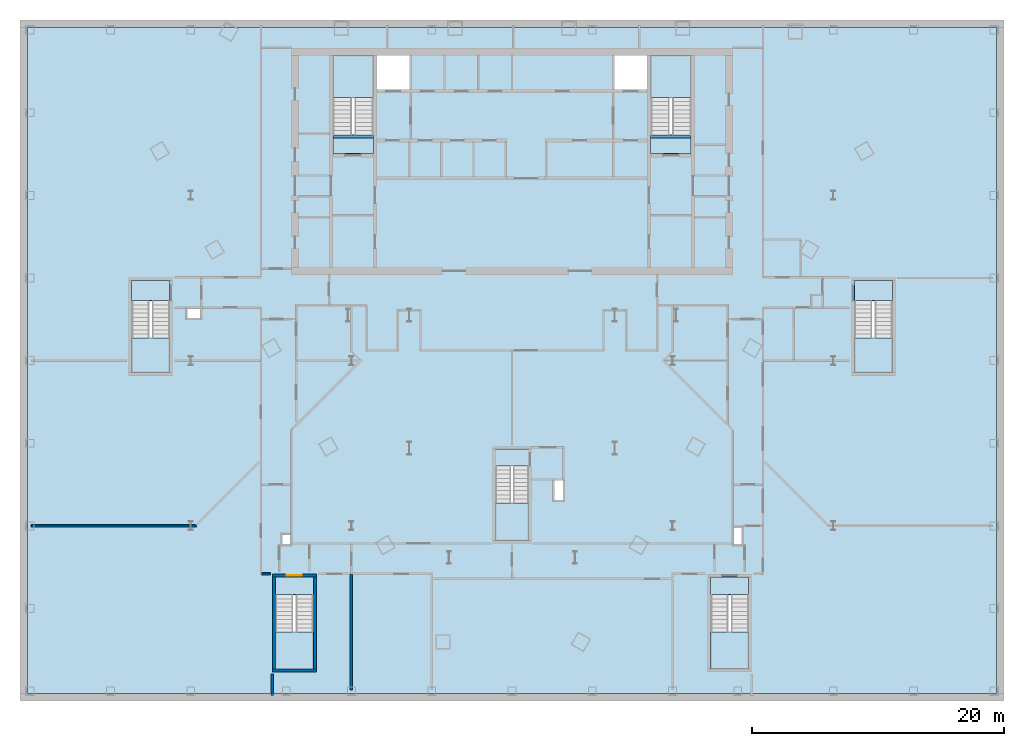
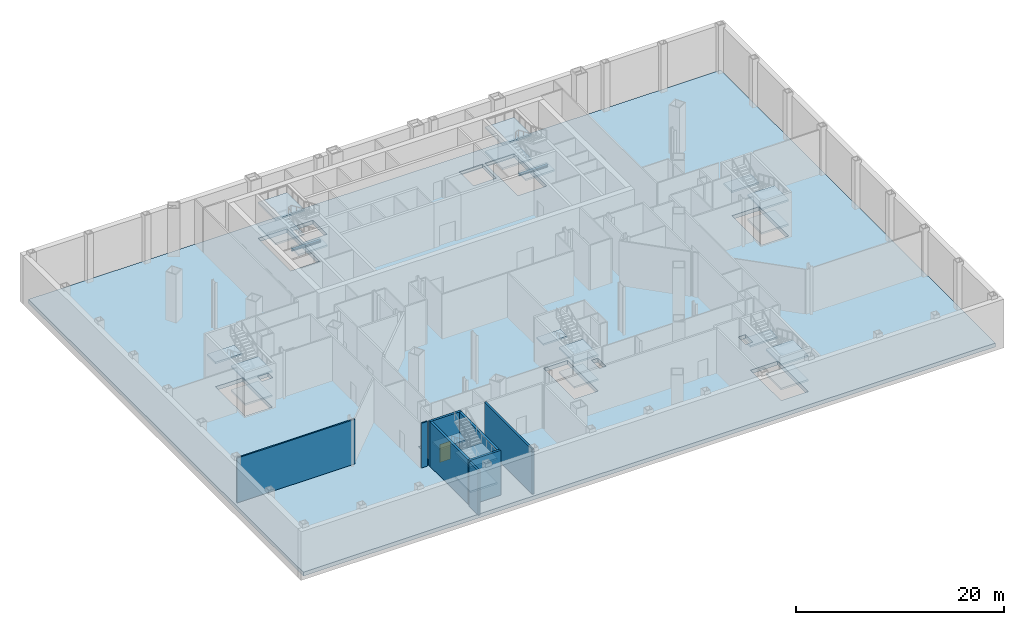
# One storey, part 4 of 17: 22 slabs, 8 walls, 2 beams, 1 door, 1 opening, 7 elements without a shape of their own.
"""IFC4 building model written with IfcOpenShell, lengths in metres."""

from ifc_helpers import new_model, si_unit, direction, frame, frame_2d, origin, origin_2d, place, context, subcontext, project, spatial, polyline, rectangle, i_section, outline, extrude, material, layer, layer_set, material_profile, profile_set, type_object, element, fill, aggregate, save


model = new_model("IFC4")

# Units and contexts
model_context = context("Model", 3, precision=1e-05, world=origin(), true_north=direction((0.0, 1.0)))
body_context = subcontext(model_context, "Body", "Model", "MODEL_VIEW")
ifc_project = project(units=[si_unit("LENGTHUNIT", "METRE"), si_unit("AREAUNIT", "SQUARE_METRE"), si_unit("VOLUMEUNIT", "CUBIC_METRE"), si_unit("PLANEANGLEUNIT", "RADIAN"), si_unit("MASSUNIT", "GRAM", prefix="KILO")], contexts=[model_context])

# Site, building, storey
site_placement = place(None, origin())
site = spatial("IfcSite", under=ifc_project, at=site_placement, CompositionType="ELEMENT")
building_placement = place(site_placement, origin())
building = spatial("IfcBuilding", under=site, at=building_placement, Name="Njiva Tower", CompositionType="ELEMENT")
storey_placement = place(building_placement, frame((0.0, 0.0, -11.4)))
storey = spatial("IfcBuildingStorey", under=building, at=storey_placement, Name="B2", CompositionType="ELEMENT", Elevation=-11.4)

# Beams
ifc_material_1 = material(Name="Steel S355 J2", Category="steel")
ifc_material_profile = material_profile(ifc_material_1, i_section(OverallWidth=0.24, OverallDepth=0.23, WebThickness=0.0075, FlangeThickness=0.012, at=origin_2d()), Name="HEA240")
ifc_profile_set = profile_set([ifc_material_profile], Name="Steel S355 J2")
beam_type = type_object("IfcBeamType", Name="FL8 Landing beam HEA 240", PredefinedType="BEAM", material=ifc_profile_set)
for number, where, z_axis, x_axis, name in (
    (1, (-14.206, 10.98, 2.535), (1.0, 0.0, 0.0), (0.0, 1.0, 0.0), "Landing beam"),
    (2, (10.994, 10.98, 2.535), (1.0, 0.0, 0.0), (0.0, 1.0, 0.0), "Landing beam"),
):
    element("IfcBeam", number, at=place(storey_placement, frame(where, z_axis=z_axis, x_axis=x_axis)), inside=storey, type_object=beam_type, Name=name, PredefinedType="BEAM", context=body_context, shape_type="SweptSolid", body=[
        extrude(i_section(OverallWidth=0.24, OverallDepth=0.23, WebThickness=0.0075, FlangeThickness=0.012, at=origin_2d()), origin(), (0.0, 0.0, 1.0), 3.212),
    ])

# Stair, slabs
ifc_material_2 = material(Name="Concrete C40/50", Category="concrete")
stair_type_1 = type_object("IfcStairType", Name="ST4 Exit stair 1500", PredefinedType="HALF_TURN_STAIR", material=ifc_material_2)
stair_1_placement = place(storey_placement, origin())
stair_1 = element("IfcStair", 3, at=stair_1_placement, inside=storey, type_object=stair_type_1, Name="Stair A basement", PredefinedType="DOUBLE_RETURN_STAIR")
ifc_layer_1 = layer(ifc_material_2, 0.2)
ifc_layer_set_1 = layer_set([ifc_layer_1], Name="Concrete C40/50")
slab_type_1 = type_object("IfcSlabType", Name="FL9 Stair landing 200", PredefinedType="LANDING", material=ifc_layer_set_1)
slab_1_placement = place(storey_placement, frame((0.0, 0.0, 1.225)))
slab_1 = element("IfcSlab", 4, at=slab_1_placement, type_object=slab_type_1, Name="ST-AB landing 1", PredefinedType="LANDING", context=body_context, shape_type="SweptSolid", body=[
    extrude(outline(polyline([(-14.206, 14.07), (-10.994, 14.07), (-10.994, 17.4), (-14.206, 17.4), (-14.206, 14.07)])), origin(), (0.0, 0.0, 1.0), 0.2),
])
slab_2_placement = place(storey_placement, frame((0.0, 0.0, 2.65)))
slab_2 = element("IfcSlab", 5, at=slab_2_placement, type_object=slab_type_1, Name="ST-AB landing 2", PredefinedType="LANDING", context=body_context, shape_type="SweptSolid", body=[
    extrude(outline(polyline([(-14.206, 9.6), (-10.994, 9.6), (-10.994, 11.1), (-14.206, 11.1), (-14.206, 9.6)])), origin(), (0.0, 0.0, 1.0), 0.2),
])
slab_3_placement = place(storey_placement, frame((0.0, 0.0, 4.075)))
slab_3 = element("IfcSlab", 6, at=slab_3_placement, type_object=slab_type_1, Name="ST-AB landing 3", PredefinedType="LANDING", context=body_context, shape_type="SweptSolid", body=[
    extrude(outline(polyline([(-14.206, 14.07), (-10.994, 14.07), (-10.994, 17.4), (-14.206, 17.4), (-14.206, 14.07)])), origin(), (0.0, 0.0, 1.0), 0.2),
])
aggregate(stair_1, [slab_1, slab_2, slab_3])

stair_2_placement = place(storey_placement, origin())
stair_2 = element("IfcStair", 7, at=stair_2_placement, inside=storey, type_object=stair_type_1, Name="Stair B basement", PredefinedType="DOUBLE_RETURN_STAIR")
slab_4_placement = place(storey_placement, frame((0.0, 0.0, 1.225)))
slab_4 = element("IfcSlab", 8, at=slab_4_placement, type_object=slab_type_1, Name="ST-BB landing 1", PredefinedType="LANDING", context=body_context, shape_type="SweptSolid", body=[
    extrude(outline(polyline([(10.994, 14.07), (14.206, 14.07), (14.206, 17.4), (10.994, 17.4), (10.994, 14.07)])), origin(), (0.0, 0.0, 1.0), 0.2),
])
slab_5_placement = place(storey_placement, frame((0.0, 0.0, 2.65)))
slab_5 = element("IfcSlab", 9, at=slab_5_placement, type_object=slab_type_1, Name="ST-BB landing 2", PredefinedType="LANDING", context=body_context, shape_type="SweptSolid", body=[
    extrude(outline(polyline([(10.994, 9.6), (14.206, 9.6), (14.206, 11.1), (10.994, 11.1), (10.994, 9.6)])), origin(), (0.0, 0.0, 1.0), 0.2),
])
slab_6_placement = place(storey_placement, frame((0.0, 0.0, 4.075)))
slab_6 = element("IfcSlab", 10, at=slab_6_placement, type_object=slab_type_1, Name="ST-BB landing 3", PredefinedType="LANDING", context=body_context, shape_type="SweptSolid", body=[
    extrude(outline(polyline([(10.994, 14.07), (14.206, 14.07), (14.206, 17.4), (10.994, 17.4), (10.994, 14.07)])), origin(), (0.0, 0.0, 1.0), 0.2),
])
aggregate(stair_2, [slab_4, slab_5, slab_6])

stair_type_2 = type_object("IfcStairType", Name="ST1 Exit stair 1250", PredefinedType="HALF_TURN_STAIR", material=ifc_material_2)
stair_3_placement = place(storey_placement, origin())
stair_3 = element("IfcStair", 11, at=stair_3_placement, inside=storey, type_object=stair_type_2, Name="Stair C basement", PredefinedType="DOUBLE_RETURN_STAIR")
slab_7_placement = place(storey_placement, frame((0.0, 0.0, 1.225)))
slab_7 = element("IfcSlab", 12, at=slab_7_placement, type_object=slab_type_1, Name="ST-CB landing 1", PredefinedType="LANDING", context=body_context, shape_type="SweptSolid", body=[
    extrude(outline(polyline([(-1.331, -21.075), (1.331, -21.075), (1.331, -18.105), (-1.331, -18.105), (-1.331, -21.075)])), origin(), (0.0, 0.0, 1.0), 0.2),
])
slab_8_placement = place(storey_placement, frame((0.0, 0.0, 2.65)))
slab_8 = element("IfcSlab", 13, at=slab_8_placement, type_object=slab_type_1, Name="ST-CB landing 2", PredefinedType="LANDING", context=body_context, shape_type="SweptSolid", body=[
    extrude(outline(polyline([(-1.331, -15.135), (1.331, -15.135), (1.331, -13.825), (-1.331, -13.825), (-1.331, -15.135)])), origin(), (0.0, 0.0, 1.0), 0.2),
])
slab_9_placement = place(storey_placement, frame((0.0, 0.0, 4.075)))
slab_9 = element("IfcSlab", 14, at=slab_9_placement, type_object=slab_type_1, Name="ST-CB landing 3", PredefinedType="LANDING", context=body_context, shape_type="SweptSolid", body=[
    extrude(outline(polyline([(-1.331, -21.075), (1.331, -21.075), (1.331, -18.105), (-1.331, -18.105), (-1.331, -21.075)])), origin(), (0.0, 0.0, 1.0), 0.2),
])
aggregate(stair_3, [slab_7, slab_8, slab_9])

stair_type_3 = type_object("IfcStairType", Name="ST2 Exit stair 1400", PredefinedType="HALF_TURN_STAIR", material=ifc_material_2)
stair_4_placement = place(storey_placement, origin())
stair_4 = element("IfcStair", 15, at=stair_4_placement, inside=storey, type_object=stair_type_3, Name="Stair D basement", PredefinedType="DOUBLE_RETURN_STAIR")
slab_10_placement = place(storey_placement, frame((0.0, 0.0, 1.225)))
slab_10 = element("IfcSlab", 16, at=slab_10_placement, type_object=slab_type_1, Name="ST-DB landing 1", PredefinedType="LANDING", context=body_context, shape_type="SweptSolid", body=[
    extrude(outline(polyline([(-18.756, -31.25), (-15.744, -31.25), (-15.744, -28.32), (-18.756, -28.32), (-18.756, -31.25)])), origin(), (0.0, 0.0, 1.0), 0.2),
])
slab_11_placement = place(storey_placement, frame((0.0, 0.0, 2.65)))
slab_11 = element("IfcSlab", 17, at=slab_11_placement, type_object=slab_type_1, Name="ST-DB landing 2", PredefinedType="LANDING", context=body_context, shape_type="SweptSolid", body=[
    extrude(outline(polyline([(-18.756, -25.35), (-15.744, -25.35), (-15.744, -23.95), (-18.756, -23.95), (-18.756, -25.35)])), origin(), (0.0, 0.0, 1.0), 0.2),
])
slab_12_placement = place(storey_placement, frame((0.0, 0.0, 4.075)))
slab_12 = element("IfcSlab", 18, at=slab_12_placement, type_object=slab_type_1, Name="ST-DB landing 3", PredefinedType="LANDING", context=body_context, shape_type="SweptSolid", body=[
    extrude(outline(polyline([(-18.756, -31.25), (-15.744, -31.25), (-15.744, -28.32), (-18.756, -28.32), (-18.756, -31.25)])), origin(), (0.0, 0.0, 1.0), 0.2),
])
aggregate(stair_4, [slab_10, slab_11, slab_12])

stair_5_placement = place(storey_placement, origin())
stair_5 = element("IfcStair", 19, at=stair_5_placement, inside=storey, type_object=stair_type_3, Name="Stair E basement", PredefinedType="DOUBLE_RETURN_STAIR")
slab_13_placement = place(storey_placement, frame((0.0, 0.0, 1.225)))
slab_13 = element("IfcSlab", 20, at=slab_13_placement, type_object=slab_type_1, Name="ST-EB landing 1", PredefinedType="LANDING", context=body_context, shape_type="SweptSolid", body=[
    extrude(outline(polyline([(15.744, -31.25), (18.756, -31.25), (18.756, -28.32), (15.744, -28.32), (15.744, -31.25)])), origin(), (0.0, 0.0, 1.0), 0.2),
])
slab_14_placement = place(storey_placement, frame((0.0, 0.0, 2.65)))
slab_14 = element("IfcSlab", 21, at=slab_14_placement, type_object=slab_type_1, Name="ST-EB landing 2", PredefinedType="LANDING", context=body_context, shape_type="SweptSolid", body=[
    extrude(outline(polyline([(15.744, -25.35), (18.756, -25.35), (18.756, -23.95), (15.744, -23.95), (15.744, -25.35)])), origin(), (0.0, 0.0, 1.0), 0.2),
])
slab_15_placement = place(storey_placement, frame((0.0, 0.0, 4.075)))
slab_15 = element("IfcSlab", 22, at=slab_15_placement, type_object=slab_type_1, Name="ST-EB landing 3", PredefinedType="LANDING", context=body_context, shape_type="SweptSolid", body=[
    extrude(outline(polyline([(15.744, -31.25), (18.756, -31.25), (18.756, -28.32), (15.744, -28.32), (15.744, -31.25)])), origin(), (0.0, 0.0, 1.0), 0.2),
])
aggregate(stair_5, [slab_13, slab_14, slab_15])

stair_6_placement = place(storey_placement, origin())
stair_6 = element("IfcStair", 23, at=stair_6_placement, inside=storey, type_object=stair_type_3, Name="Stair F basement", PredefinedType="DOUBLE_RETURN_STAIR")
slab_16_placement = place(storey_placement, frame((0.0, 0.0, 1.225)))
slab_16 = element("IfcSlab", 24, at=slab_16_placement, type_object=slab_type_1, Name="ST-FB landing 1", PredefinedType="LANDING", context=body_context, shape_type="SweptSolid", body=[
    extrude(outline(polyline([(-30.156, -7.75), (-27.144, -7.75), (-27.144, -5.02), (-30.156, -5.02), (-30.156, -7.75)])), origin(), (0.0, 0.0, 1.0), 0.2),
])
slab_17_placement = place(storey_placement, frame((0.0, 0.0, 2.65)))
slab_17 = element("IfcSlab", 25, at=slab_17_placement, type_object=slab_type_1, Name="ST-FB landing 2", PredefinedType="LANDING", context=body_context, shape_type="SweptSolid", body=[
    extrude(outline(polyline([(-30.156, -2.05), (-27.144, -2.05), (-27.144, -0.45), (-30.156, -0.45), (-30.156, -2.05)])), origin(), (0.0, 0.0, 1.0), 0.2),
])
slab_18_placement = place(storey_placement, frame((0.0, 0.0, 4.075)))
slab_18 = element("IfcSlab", 26, at=slab_18_placement, type_object=slab_type_1, Name="ST-FB landing 3", PredefinedType="LANDING", context=body_context, shape_type="SweptSolid", body=[
    extrude(outline(polyline([(-30.156, -7.75), (-27.144, -7.75), (-27.144, -5.02), (-30.156, -5.02), (-30.156, -7.75)])), origin(), (0.0, 0.0, 1.0), 0.2),
])
aggregate(stair_6, [slab_16, slab_17, slab_18])

stair_7_placement = place(storey_placement, origin())
stair_7 = element("IfcStair", 27, at=stair_7_placement, inside=storey, type_object=stair_type_3, Name="Stair G basement", PredefinedType="DOUBLE_RETURN_STAIR")
slab_19_placement = place(storey_placement, frame((0.0, 0.0, 1.225)))
slab_19 = element("IfcSlab", 28, at=slab_19_placement, type_object=slab_type_1, Name="ST-GB landing 1", PredefinedType="LANDING", context=body_context, shape_type="SweptSolid", body=[
    extrude(outline(polyline([(27.144, -7.75), (30.156, -7.75), (30.156, -5.02), (27.144, -5.02), (27.144, -7.75)])), origin(), (0.0, 0.0, 1.0), 0.2),
])
slab_20_placement = place(storey_placement, frame((0.0, 0.0, 2.65)))
slab_20 = element("IfcSlab", 29, at=slab_20_placement, type_object=slab_type_1, Name="ST-GB landing 2", PredefinedType="LANDING", context=body_context, shape_type="SweptSolid", body=[
    extrude(outline(polyline([(27.144, -2.05), (30.156, -2.05), (30.156, -0.45), (27.144, -0.45), (27.144, -2.05)])), origin(), (0.0, 0.0, 1.0), 0.2),
])
slab_21_placement = place(storey_placement, frame((0.0, 0.0, 4.075)))
slab_21 = element("IfcSlab", 30, at=slab_21_placement, type_object=slab_type_1, Name="ST-GB landing 3", PredefinedType="LANDING", context=body_context, shape_type="SweptSolid", body=[
    extrude(outline(polyline([(27.144, -7.75), (30.156, -7.75), (30.156, -5.02), (27.144, -5.02), (27.144, -7.75)])), origin(), (0.0, 0.0, 1.0), 0.2),
])
aggregate(stair_7, [slab_19, slab_20, slab_21])

# Slab
ifc_layer_2 = layer(ifc_material_2, 0.45)
ifc_layer_set_2 = layer_set([ifc_layer_2], Name="Concrete C40/50")
slab_type_2 = type_object("IfcSlabType", Name="SL11 Concrete flat plate 450", PredefinedType="FLOOR", material=ifc_layer_set_2)
slab_22_placement = place(storey_placement, frame((0.0, 0.0, -0.45)))
element("IfcSlab", 31, at=slab_22_placement, inside=storey, type_object=slab_type_2, Name="Floor slab B2", PredefinedType="FLOOR", context=body_context, shape_type="SweptSolid", body=[
    extrude(outline(polyline([(-38.4, -33.2), (-38.4, 19.6), (38.4, 19.6), (38.4, -33.2), (-38.4, -33.2)]), holes=[polyline([(27.144, -7.75), (30.156, -7.75), (30.156, -2.08), (27.144, -2.08), (27.144, -7.75)]), polyline([(15.744, -31.25), (18.756, -31.25), (18.756, -25.38), (15.744, -25.38), (15.744, -31.25)]), polyline([(17.5, -21.425), (18.3, -21.425), (18.3, -19.975), (17.5, -19.975), (17.5, -21.425)]), polyline([(10.994, 11.13), (14.206, 11.13), (14.206, 17.4), (10.994, 17.4), (10.994, 11.13)]), polyline([(8.125, 14.7), (10.7, 14.7), (10.7, 17.4), (8.125, 17.4), (8.125, 14.7)]), polyline([(3.35, -17.85), (4.05, -17.85), (4.05, -16.3), (3.35, -16.3), (3.35, -17.85)]), polyline([(-1.331, -21.075), (1.331, -21.075), (1.331, -15.165), (-1.331, -15.165), (-1.331, -21.075)]), polyline([(-8.125, 14.7), (-8.125, 17.4), (-10.7, 17.4), (-10.7, 14.7), (-8.125, 14.7)]), polyline([(-14.206, 11.13), (-10.994, 11.13), (-10.994, 17.4), (-14.206, 17.4), (-14.206, 11.13)]), polyline([(-15.744, -31.25), (-15.744, -25.38), (-18.756, -25.38), (-18.756, -31.25), (-15.744, -31.25)]), polyline([(-18.3, -21.425), (-17.5, -21.425), (-17.5, -20.525), (-18.3, -20.525), (-18.3, -21.425)]), polyline([(-24.625, -2.6), (-25.825, -2.6), (-25.825, -3.5), (-24.625, -3.5), (-24.625, -2.6)]), polyline([(-27.144, -7.75), (-27.144, -2.08), (-30.156, -2.08), (-30.156, -7.75), (-27.144, -7.75)])]), origin(), (0.0, 0.0, 1.0), 0.45),
])

# Walls
ifc_material_3 = material(Name="Gypsum board on steel studs", Category="gypsum")
ifc_layer_3 = layer(ifc_material_3, 0.15)
ifc_layer_set_3 = layer_set([ifc_layer_3], Name="Gypsum board on steel studs")
wall_type_1 = type_object("IfcWallType", Name="WT21 Compartment wall 150", PredefinedType="PARTITIONING", material=ifc_layer_set_3)
wall_1_placement = place(storey_placement, frame((-38.1, -19.9, 0.0), z_axis=(0.0, 0.0, 1.0), x_axis=(1.0, 0.0, 0.0)))
element("IfcWall", 32, at=wall_1_placement, inside=storey, type_object=wall_type_1, Name="Partition B2-P001", PredefinedType="PARTITIONING", context=body_context, shape_type="SweptSolid", body=[
    extrude(rectangle(XDim=13.074, YDim=0.15, at=frame_2d((6.537, 0.0))), origin(), (0.0, 0.0, 1.0), 5.25),
])
wall_2_placement = place(storey_placement, frame((-19.825, -23.7, 0.0), z_axis=(0.0, 0.0, 1.0), x_axis=(1.0, 0.0, 0.0)))
element("IfcWall", 33, at=wall_2_placement, inside=storey, type_object=wall_type_1, Name="Partition B2-P020", PredefinedType="PARTITIONING", context=body_context, shape_type="SweptSolid", body=[
    extrude(rectangle(XDim=0.675, YDim=0.15, at=frame_2d((0.3375, 0.0))), origin(), (0.0, 0.0, 1.0), 5.25),
])
ifc_material_4 = material(Name="Blockwork", Category="masonry")
ifc_layer_4 = layer(ifc_material_4, 0.2)
ifc_layer_set_4 = layer_set([ifc_layer_4], Name="Blockwork")
wall_type_2 = type_object("IfcWallType", Name="WT22 Plant room wall 200", PredefinedType="PARTITIONING", material=ifc_layer_set_4)
wall_3_placement = place(storey_placement, frame((-19.0, -33.348, 0.0), z_axis=(0.0, 0.0, 1.0), x_axis=(0.0, 1.0, 0.0)))
element("IfcWall", 34, at=wall_3_placement, inside=storey, type_object=wall_type_2, Name="Partition B2-P023", PredefinedType="PARTITIONING", context=body_context, shape_type="SweptSolid", body=[
    extrude(rectangle(XDim=1.698, YDim=0.2, at=frame_2d((0.849, 0.0))), origin(), (0.0, 0.0, 1.0), 5.25),
])
wall_4_placement = place(storey_placement, frame((-12.733, -32.9, 0.0), z_axis=(0.0, 0.0, 1.0), x_axis=(0.0, 1.0, 0.0)))
element("IfcWall", 35, at=wall_4_placement, inside=storey, type_object=wall_type_2, Name="Partition B2-P042", PredefinedType="PARTITIONING", context=body_context, shape_type="SweptSolid", body=[
    extrude(rectangle(XDim=9.2, YDim=0.2, at=frame_2d((4.6, 0.0))), origin(), (0.0, 0.0, 1.0), 5.25),
])
ifc_layer_5 = layer(ifc_material_2, 0.25)
ifc_layer_set_5 = layer_set([ifc_layer_5], Name="Concrete C40/50")
wall_type_3 = type_object("IfcWallType", Name="WT9 Stair enclosure wall 250", PredefinedType="SHEAR", material=ifc_layer_set_5)
for number, where, z_axis, x_axis, name in (
    (36, (-18.875, -31.25, 0.0), (0.0, 0.0, 1.0), (0.0, 1.0, 0.0), "Stair D wall west"),
    (37, (-15.625, -31.25, 0.0), (0.0, 0.0, 1.0), (0.0, 1.0, 0.0), "Stair D wall east"),
):
    element("IfcWall", number, at=place(storey_placement, frame(where, z_axis=z_axis, x_axis=x_axis)), inside=storey, type_object=wall_type_3, Name=name, PredefinedType="SHEAR", context=body_context, shape_type="SweptSolid", body=[
        extrude(rectangle(XDim=7.3, YDim=0.25, at=frame_2d((3.65, 0.0))), origin(), (0.0, 0.0, 1.0), 5.25),
    ])
wall_5_placement = place(storey_placement, frame((-19.0, -31.375, 0.0), z_axis=(0.0, 0.0, 1.0), x_axis=(1.0, 0.0, 0.0)))
element("IfcWall", 38, at=wall_5_placement, inside=storey, type_object=wall_type_3, Name="Stair D wall south", PredefinedType="SHEAR", context=body_context, shape_type="SweptSolid", body=[
    extrude(rectangle(XDim=3.5, YDim=0.25, at=frame_2d((1.75, 0.0))), origin(), (0.0, 0.0, 1.0), 5.25),
])

# Wall, opening, door
wall_6_placement = place(storey_placement, frame((-19.0, -23.825, 0.0), z_axis=(0.0, 0.0, 1.0), x_axis=(1.0, 0.0, 0.0)))
wall_6 = element("IfcWall", 39, at=wall_6_placement, inside=storey, type_object=wall_type_3, Name="Stair D wall north", PredefinedType="SHEAR", context=body_context, shape_type="SweptSolid", body=[
    extrude(rectangle(XDim=3.5, YDim=0.25, at=frame_2d((1.75, 0.0))), origin(), (0.0, 0.0, 1.0), 5.25),
])
opening_placement = place(wall_6_placement, frame((1.15, 0.0, 0.0)))
opening = element("IfcOpeningElement", 40, at=opening_placement, cuts=wall_6, Name="Opening B2-D938", PredefinedType="OPENING", context=body_context, shape_type="SweptSolid", body=[
    extrude(rectangle(XDim=1.2, YDim=2.1, at=frame_2d((0.6, 1.05))), frame((0.0, 0.135, 0.0), z_axis=(0.0, -1.0, 0.0), x_axis=(1.0, 0.0, 0.0)), (0.0, 0.0, 1.0), 0.27),
])
ifc_material_5 = material(Name="Steel door, painted", Category="steel")
door_type = type_object("IfcDoorType", Name="D1 Stair door 1200x2100", OperationType="SINGLE_SWING_LEFT", PredefinedType="DOOR", material=ifc_material_5)
door_placement = place(opening_placement, origin())
door = element("IfcDoor", 41, at=door_placement, inside=storey, type_object=door_type, Name="Stair D door", OperationType="SINGLE_SWING_LEFT", OverallHeight=2.1, OverallWidth=1.2, PredefinedType="DOOR", context=body_context, shape_type="SweptSolid", body=[
    extrude(rectangle(XDim=1.2, YDim=2.1, at=frame_2d((0.6, 1.05))), frame((0.0, 0.025, 0.0), z_axis=(0.0, -1.0, 0.0), x_axis=(1.0, 0.0, 0.0)), (0.0, 0.0, 1.0), 0.05),
])
fill(opening, door)

save(model, "model.ifc")
